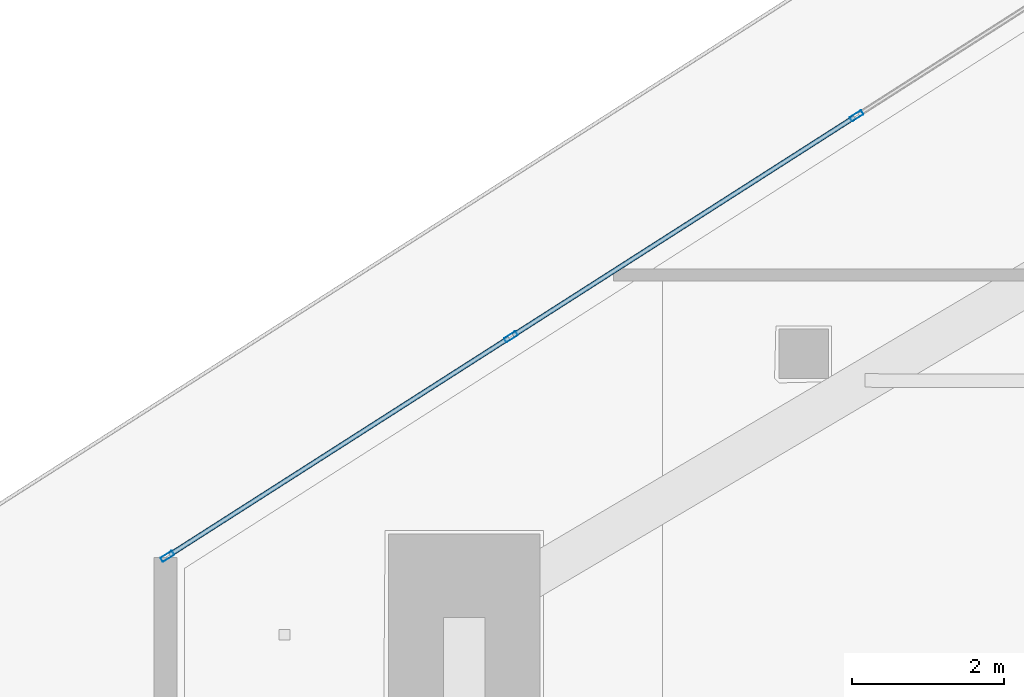
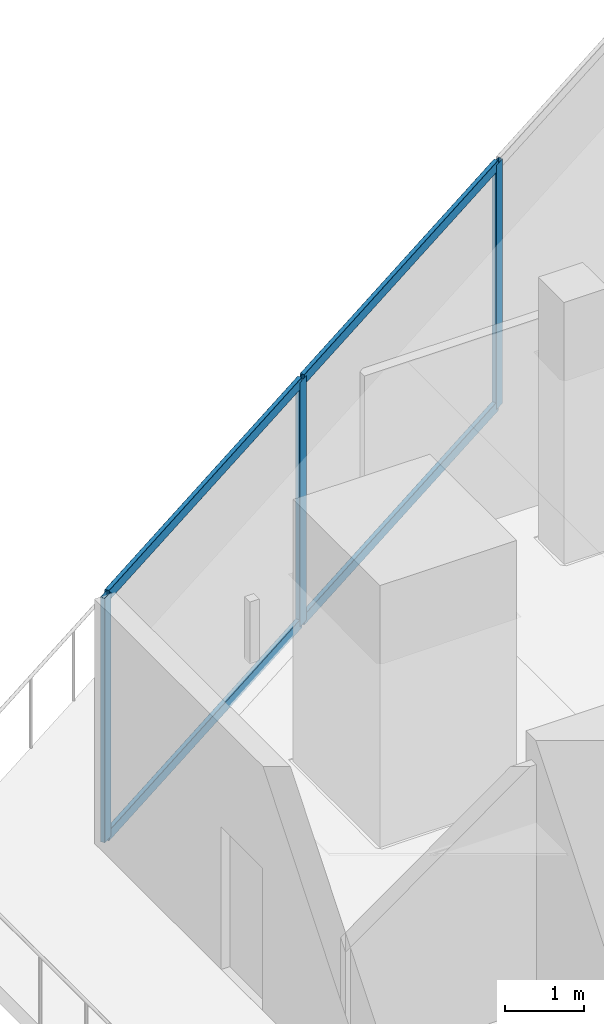
# One storey, part 12 of 38: 7 members, 1 element without a shape of its own.
"""IFC4 building model written with IfcOpenShell, lengths in metres."""

from ifc_helpers import new_model, si_unit, direction, frame, origin, origin_2d, place, context, subcontext, project, spatial, hollow_rectangle, extrude, material, layer, layer_set, material_profile, profile_set, type_object, element, aggregate, save


model = new_model("IFC4")

# Units and contexts
model_context = context("Model", 3, precision=1e-05, world=origin(), true_north=direction((0.0, 1.0)))
body_context = subcontext(model_context, "Body", "Model", "MODEL_VIEW")
ifc_project = project(units=[si_unit("LENGTHUNIT", "METRE"), si_unit("AREAUNIT", "SQUARE_METRE"), si_unit("VOLUMEUNIT", "CUBIC_METRE"), si_unit("PLANEANGLEUNIT", "RADIAN"), si_unit("MASSUNIT", "GRAM", prefix="KILO")], contexts=[model_context])

# Site, building, storey
site_placement = place(None, origin())
site = spatial("IfcSite", under=ifc_project, at=site_placement, CompositionType="ELEMENT")
building_placement = place(site_placement, origin())
building = spatial("IfcBuilding", under=site, at=building_placement, Name="Qorvath Tower", CompositionType="ELEMENT")
storey_placement = place(building_placement, frame((0.0, 0.0, 146.25)))
storey = spatial("IfcBuildingStorey", under=building, at=storey_placement, Name="L33", CompositionType="ELEMENT", Elevation=146.25)

# Curtain wall, members
ifc_material_1 = material(Name="Anodised aluminium and triple low-E glass", Category="aluminium")
ifc_layer = layer(ifc_material_1, 0.179931640625)
ifc_layer_set = layer_set([ifc_layer], Name="CW-SYS-3")
curtain_wall_type = type_object("IfcCurtainWallType", Name="CW-SYS-3", PredefinedType="NOTDEFINED", material=ifc_layer_set)
curtain_wall_placement = place(storey_placement, origin())
curtain_wall = element("IfcCurtainWall", 1, at=curtain_wall_placement, inside=storey, type_object=curtain_wall_type, Name="Curtain Wall CW-3 CW-T-L33-16.1", PredefinedType="NOTDEFINED")
ifc_material_2 = material(Name="Anodised aluminium 6063-T6", Category="aluminium")
ifc_material_profile_1 = material_profile(ifc_material_2, hollow_rectangle(XDim=0.06494140625, YDim=0.179931640625, WallThickness=0.00341796875, InnerFilletRadius=0.00341796875, OuterFilletRadius=0.007080078125, at=origin_2d()), Name="CWM 180x65")
ifc_profile_set_1 = profile_set([ifc_material_profile_1], Name="Anodised aluminium 6063-T6")
member_type_1 = type_object("IfcMemberType", Name="CWM-180", PredefinedType="MULLION", material=ifc_profile_set_1)
member_1_placement = place(storey_placement, frame((-47.883544921875, 9.556640625, 0.0), z_axis=(0.0, 0.0, 1.0), x_axis=(0.53853296968, -0.842604438967, 0.0)))
member_1 = element("IfcMember", 2, at=member_1_placement, type_object=member_type_1, Name="CW-3 mullion 8", PredefinedType="MULLION", context=body_context, shape_type="SweptSolid", body=[
    extrude(hollow_rectangle(XDim=0.06494140625, YDim=0.179931640625, WallThickness=0.00341796875, InnerFilletRadius=0.00341796875, OuterFilletRadius=0.007080078125, at=origin_2d()), origin(), (0.0, 0.0, 1.0), 3.780029296875),
])
member_2_placement = place(storey_placement, frame((-52.434326171875, 6.64794921875, 0.0), z_axis=(0.0, 0.0, 1.0), x_axis=(0.53853296968, -0.842604438967, 0.0)))
member_2 = element("IfcMember", 3, at=member_2_placement, type_object=member_type_1, Name="CW-3 mullion 9", PredefinedType="MULLION", context=body_context, shape_type="SweptSolid", body=[
    extrude(hollow_rectangle(XDim=0.06494140625, YDim=0.179931640625, WallThickness=0.00341796875, InnerFilletRadius=0.00341796875, OuterFilletRadius=0.007080078125, at=origin_2d()), origin(), (0.0, 0.0, 1.0), 3.780029296875),
])
member_3_placement = place(storey_placement, frame((-56.957763671875, 3.757080078125, 0.0), z_axis=(0.0, 0.0, 1.0), x_axis=(0.53853296968, -0.842604438967, 0.0)))
member_3 = element("IfcMember", 4, at=member_3_placement, type_object=member_type_1, Name="CW-3 mullion 10", PredefinedType="MULLION", context=body_context, shape_type="SweptSolid", body=[
    extrude(hollow_rectangle(XDim=0.06494140625, YDim=0.179931640625, WallThickness=0.00341796875, InnerFilletRadius=0.00341796875, OuterFilletRadius=0.007080078125, at=origin_2d()), origin(), (0.0, 0.0, 1.0), 3.780029296875),
])
ifc_material_3 = material(Name="Anodised aluminium 6063-T6", Category="aluminium")
ifc_material_profile_2 = material_profile(ifc_material_3, hollow_rectangle(XDim=0.06494140625, YDim=0.159912109375, WallThickness=0.00341796875, InnerFilletRadius=0.00341796875, OuterFilletRadius=0.007080078125, at=origin_2d()), Name="CWT 160x65")
ifc_profile_set_2 = profile_set([ifc_material_profile_2], Name="Anodised aluminium 6063-T6")
member_type_2 = type_object("IfcMemberType", Name="CWT-160", PredefinedType="USERDEFINED", material=ifc_profile_set_2)
member_4_placement = place(storey_placement, frame((-47.910888671875, 9.5390625, 0.032470703125), z_axis=(-0.842608601225, -0.538526457234, 0.0), x_axis=(0.538526457234, -0.842608601225, 0.0)))
member_4 = element("IfcMember", 5, at=member_4_placement, type_object=member_type_2, Name="CW-3 transom 8.1", ObjectType="TRANSOM", PredefinedType="USERDEFINED", context=body_context, shape_type="SweptSolid", body=[
    extrude(hollow_rectangle(XDim=0.06494140625, YDim=0.159912109375, WallThickness=0.00341796875, InnerFilletRadius=0.00341796875, OuterFilletRadius=0.007080078125, at=origin_2d()), origin(), (0.0, 0.0, 1.0), 5.3359375),
])
member_5_placement = place(storey_placement, frame((-47.910888671875, 9.5390625, 3.74755859375), z_axis=(-0.842608601225, -0.538526457234, 0.0), x_axis=(0.538526457234, -0.842608601225, 0.0)))
member_5 = element("IfcMember", 6, at=member_5_placement, type_object=member_type_2, Name="CW-3 transom 8.2", ObjectType="TRANSOM", PredefinedType="USERDEFINED", context=body_context, shape_type="SweptSolid", body=[
    extrude(hollow_rectangle(XDim=0.06494140625, YDim=0.159912109375, WallThickness=0.00341796875, InnerFilletRadius=0.00341796875, OuterFilletRadius=0.007080078125, at=origin_2d()), origin(), (0.0, 0.0, 1.0), 5.3359375),
])
member_6_placement = place(storey_placement, frame((-52.461669921875, 6.630615234375, 0.032470703125), z_axis=(-0.84259645993, -0.538545453711, 0.0), x_axis=(0.538545453711, -0.84259645993, 0.0)))
member_6 = element("IfcMember", 7, at=member_6_placement, type_object=member_type_2, Name="CW-3 transom 9.1", ObjectType="TRANSOM", PredefinedType="USERDEFINED", context=body_context, shape_type="SweptSolid", body=[
    extrude(hollow_rectangle(XDim=0.06494140625, YDim=0.159912109375, WallThickness=0.00341796875, InnerFilletRadius=0.00341796875, OuterFilletRadius=0.007080078125, at=origin_2d()), origin(), (0.0, 0.0, 1.0), 5.303466796875),
])
member_7_placement = place(storey_placement, frame((-52.461669921875, 6.630615234375, 3.74755859375), z_axis=(-0.84259645993, -0.538545453711, 0.0), x_axis=(0.538545453711, -0.84259645993, 0.0)))
member_7 = element("IfcMember", 8, at=member_7_placement, type_object=member_type_2, Name="CW-3 transom 9.2", ObjectType="TRANSOM", PredefinedType="USERDEFINED", context=body_context, shape_type="SweptSolid", body=[
    extrude(hollow_rectangle(XDim=0.06494140625, YDim=0.159912109375, WallThickness=0.00341796875, InnerFilletRadius=0.00341796875, OuterFilletRadius=0.007080078125, at=origin_2d()), origin(), (0.0, 0.0, 1.0), 5.303466796875),
])
aggregate(curtain_wall, [member_1, member_2, member_3, member_4, member_5, member_6, member_7])

save(model, "model.ifc")
